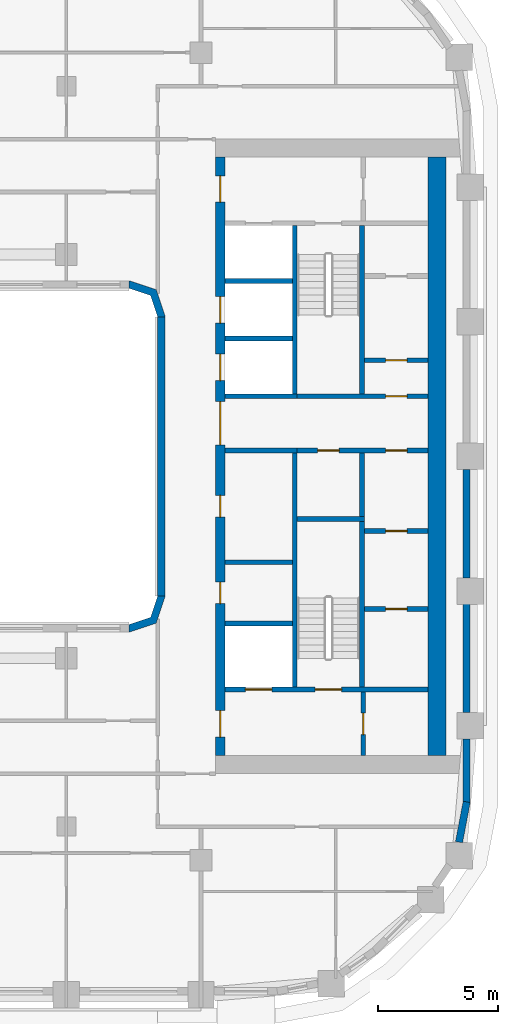
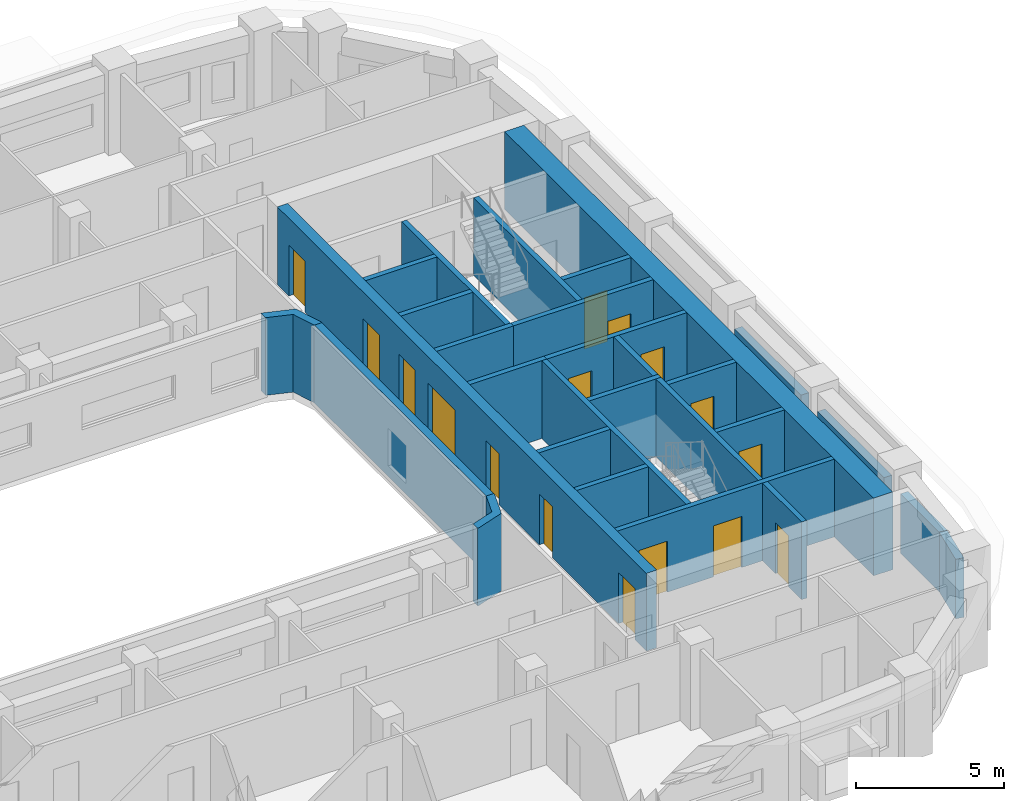
# One storey, part 6 of 22: 28 walls, 16 doors, 16 openings.
"""IFC4 building model written with IfcOpenShell, lengths in metres."""

from ifc_helpers import new_model, si_unit, direction, frame, frame_2d, origin, place, context, subcontext, project, spatial, polyline, rectangle, outline, extrude, material, layer, layer_set, type_object, element, fill, save


model = new_model("IFC4")

# Units and contexts
model_context = context("Model", 3, precision=1e-05, world=origin(), true_north=direction((0.0, 1.0)))
body_context = subcontext(model_context, "Body", "Model", "MODEL_VIEW")
ifc_project = project(units=[si_unit("LENGTHUNIT", "METRE"), si_unit("AREAUNIT", "SQUARE_METRE"), si_unit("VOLUMEUNIT", "CUBIC_METRE"), si_unit("PLANEANGLEUNIT", "RADIAN"), si_unit("MASSUNIT", "GRAM", prefix="KILO")], contexts=[model_context])

# Site, building, storey
site_placement = place(None, origin())
site = spatial("IfcSite", under=ifc_project, at=site_placement, CompositionType="ELEMENT")
building_placement = place(site_placement, origin())
building = spatial("IfcBuilding", under=site, at=building_placement, Name="Kiln Ring Residences", CompositionType="ELEMENT")
storey_placement = place(building_placement, frame((0.0, 0.0, 150.10009765625)))
storey = spatial("IfcBuildingStorey", under=building, at=storey_placement, Name="L38", CompositionType="ELEMENT", Elevation=150.10009765625)

# Wall
ifc_material_1 = material(Name="Gypsum board on steel studs", Category="steel")
ifc_layer_1 = layer(ifc_material_1, 0.199951171875)
ifc_layer_set_1 = layer_set([ifc_layer_1], Name="CORE-PARTITION-200")
wall_type_1 = type_object("IfcWallType", Name="CORE-PARTITION-200", PredefinedType="PARTITIONING", material=ifc_layer_set_1)
wall_1_placement = place(storey_placement, frame((23.5, -2.5, 0.0), z_axis=(0.0, 0.0, 1.0), x_axis=(0.0, 1.0, 0.0)))
element("IfcWall", 1, at=wall_1_placement, inside=storey, type_object=wall_type_1, Name="Core partition east L38 1", PredefinedType="PARTITIONING", context=body_context, shape_type="SweptSolid", body=[
    extrude(rectangle(XDim=2.64990234375, YDim=0.199951171875, at=frame_2d((1.324951171875, 0.0))), origin(), (0.0, 0.0, 1.0), 3.199951171875),
])

# Wall, openings, doors
wall_2_placement = place(storey_placement, frame((20.800048828125, 0.25, 0.0), z_axis=(0.0, 0.0, 1.0), x_axis=(1.0, 0.0, 0.0)))
wall_2 = element("IfcWall", 2, at=wall_2_placement, inside=storey, type_object=wall_type_1, Name="Core partition east L38 2", PredefinedType="PARTITIONING", context=body_context, shape_type="SweptSolid", body=[
    extrude(rectangle(XDim=5.449951171875, YDim=0.199951171875, at=frame_2d((2.72509765625, 0.0))), origin(), (0.0, 0.0, 1.0), 3.199951171875),
])
opening_1_placement = place(wall_2_placement, frame((0.85009765625, 0.0, 0.0)))
opening_1 = element("IfcOpeningElement", 3, at=opening_1_placement, cuts=wall_2, Name="Opening L38-CE14", PredefinedType="OPENING", context=body_context, shape_type="SweptSolid", body=[
    extrude(rectangle(XDim=0.89990234375, YDim=2.10009765625, at=frame_2d((0.449951171875, 1.050048828125))), frame((0.0, 0.10986328125, 0.0), z_axis=(0.0, -1.0, 0.0), x_axis=(1.0, 0.0, 0.0)), (0.0, 0.0, 1.0), 0.219970703125),
])
opening_2_placement = place(wall_2_placement, frame((3.675048828125, 0.0, 0.0)))
opening_2 = element("IfcOpeningElement", 4, at=opening_2_placement, cuts=wall_2, Name="Opening L38-CE17", PredefinedType="OPENING", context=body_context, shape_type="SweptSolid", body=[
    extrude(rectangle(XDim=0.89990234375, YDim=2.10009765625, at=frame_2d((0.449951171875, 1.050048828125))), frame((0.0, 0.10986328125, 0.0), z_axis=(0.0, -1.0, 0.0), x_axis=(1.0, 0.0, 0.0)), (0.0, 0.0, 1.0), 0.219970703125),
])
ifc_material_2 = material(Name="Steel door leaf", Category="steel")
door_type_1 = type_object("IfcDoorType", Name="CORE-DOOR-ROOM", OperationType="SINGLE_SWING_LEFT", PredefinedType="DOOR", material=ifc_material_2)
door_1_placement = place(opening_1_placement, origin())
door_1 = element("IfcDoor", 5, at=door_1_placement, inside=storey, type_object=door_type_1, Name="Electrical riser room L38-CE14", OperationType="SINGLE_SWING_LEFT", OverallHeight=2.10009765625, OverallWidth=0.89990234375, PredefinedType="DOOR", context=body_context, shape_type="SweptSolid", body=[
    extrude(rectangle(XDim=0.89990234375, YDim=2.10009765625, at=frame_2d((0.449951171875, 1.050048828125))), frame((0.0, 0.02490234375, 0.0), z_axis=(0.0, -1.0, 0.0), x_axis=(1.0, 0.0, 0.0)), (0.0, 0.0, 1.0), 0.050048828125),
])
fill(opening_1, door_1)
door_2_placement = place(opening_2_placement, origin())
door_2 = element("IfcDoor", 6, at=door_2_placement, inside=storey, type_object=door_type_1, Name="Plant room L38-CE17", OperationType="SINGLE_SWING_RIGHT", OverallHeight=2.10009765625, OverallWidth=0.89990234375, PredefinedType="DOOR", context=body_context, shape_type="SweptSolid", body=[
    extrude(rectangle(XDim=0.89990234375, YDim=2.10009765625, at=frame_2d((0.449951171875, 1.050048828125))), frame((0.0, 0.02490234375, 0.0), z_axis=(0.0, -1.0, 0.0), x_axis=(1.0, 0.0, 0.0)), (0.0, 0.0, 1.0), 0.050048828125),
])
fill(opening_2, door_2)

# Wall
wall_3_placement = place(storey_placement, frame((17.800048828125, -4.39990234375, 0.0), z_axis=(0.0, 0.0, 1.0), x_axis=(1.0, 0.0, 0.0)))
element("IfcWall", 7, at=wall_3_placement, inside=storey, type_object=wall_type_1, Name="Core partition east L38 3", PredefinedType="PARTITIONING", context=body_context, shape_type="SweptSolid", body=[
    extrude(rectangle(XDim=2.800048828125, YDim=0.199951171875, at=frame_2d((1.39990234375, 0.0))), origin(), (0.0, 0.0, 1.0), 3.199951171875),
])

# Wall, opening, door
wall_4_placement = place(storey_placement, frame((23.550048828125, -12.449951171875, 0.0), z_axis=(0.0, 0.0, 1.0), x_axis=(0.0, 1.0, 0.0)))
wall_4 = element("IfcWall", 8, at=wall_4_placement, inside=storey, type_object=wall_type_1, Name="Core partition east L38 5", PredefinedType="PARTITIONING", context=body_context, shape_type="SweptSolid", body=[
    extrude(rectangle(XDim=2.64990234375, YDim=0.199951171875, at=frame_2d((1.324951171875, 0.0))), origin(), (0.0, 0.0, 1.0), 3.199951171875),
])
opening_3_placement = place(wall_4_placement, frame((0.875, 0.0, 0.0)))
opening_3 = element("IfcOpeningElement", 9, at=opening_3_placement, cuts=wall_4, Name="Opening L38-CE10", PredefinedType="OPENING", context=body_context, shape_type="SweptSolid", body=[
    extrude(rectangle(XDim=0.89990234375, YDim=2.10009765625, at=frame_2d((0.449951171875, 1.050048828125))), frame((0.0, 0.10986328125, 0.0), z_axis=(0.0, -1.0, 0.0), x_axis=(1.0, 0.0, 0.0)), (0.0, 0.0, 1.0), 0.219970703125),
])
door_3_placement = place(opening_3_placement, origin())
door_3 = element("IfcDoor", 10, at=door_3_placement, inside=storey, type_object=door_type_1, Name="Store L38-CE10", OperationType="SINGLE_SWING_LEFT", OverallHeight=2.10009765625, OverallWidth=0.89990234375, PredefinedType="DOOR", context=body_context, shape_type="SweptSolid", body=[
    extrude(rectangle(XDim=0.89990234375, YDim=2.10009765625, at=frame_2d((0.449951171875, 1.050048828125))), frame((0.0, 0.02490234375, 0.0), z_axis=(0.0, -1.0, 0.0), x_axis=(1.0, 0.0, 0.0)), (0.0, 0.0, 1.0), 0.050048828125),
])
fill(opening_3, door_3)

wall_5_placement = place(storey_placement, frame((23.60009765625, -6.35009765625, 0.0), z_axis=(0.0, 0.0, 1.0), x_axis=(1.0, 0.0, 0.0)))
wall_5 = element("IfcWall", 11, at=wall_5_placement, inside=storey, type_object=wall_type_1, Name="Core partition east L38 6", PredefinedType="PARTITIONING", context=body_context, shape_type="SweptSolid", body=[
    extrude(rectangle(XDim=2.64990234375, YDim=0.199951171875, at=frame_2d((1.324951171875, 0.0))), origin(), (0.0, 0.0, 1.0), 3.199951171875),
])
opening_4_placement = place(wall_5_placement, frame((0.875, 0.0, 0.0)))
opening_4 = element("IfcOpeningElement", 12, at=opening_4_placement, cuts=wall_5, Name="Opening L38-CE15", PredefinedType="OPENING", context=body_context, shape_type="SweptSolid", body=[
    extrude(rectangle(XDim=0.89990234375, YDim=2.10009765625, at=frame_2d((0.449951171875, 1.050048828125))), frame((0.0, 0.10986328125, 0.0), z_axis=(0.0, -1.0, 0.0), x_axis=(1.0, 0.0, 0.0)), (0.0, 0.0, 1.0), 0.219970703125),
])
door_4_placement = place(opening_4_placement, origin())
door_4 = element("IfcDoor", 13, at=door_4_placement, inside=storey, type_object=door_type_1, Name="Meter room L38-CE15", OperationType="SINGLE_SWING_LEFT", OverallHeight=2.10009765625, OverallWidth=0.89990234375, PredefinedType="DOOR", context=body_context, shape_type="SweptSolid", body=[
    extrude(rectangle(XDim=0.89990234375, YDim=2.10009765625, at=frame_2d((0.449951171875, 1.050048828125))), frame((0.0, 0.02490234375, 0.0), z_axis=(0.0, -1.0, 0.0), x_axis=(1.0, 0.0, 0.0)), (0.0, 0.0, 1.0), 0.050048828125),
])
fill(opening_4, door_4)

wall_6_placement = place(storey_placement, frame((23.60009765625, -3.10009765625, 0.0), z_axis=(0.0, 0.0, 1.0), x_axis=(1.0, 0.0, 0.0)))
wall_6 = element("IfcWall", 14, at=wall_6_placement, inside=storey, type_object=wall_type_1, Name="Core partition east L38 7", PredefinedType="PARTITIONING", context=body_context, shape_type="SweptSolid", body=[
    extrude(rectangle(XDim=2.64990234375, YDim=0.199951171875, at=frame_2d((1.324951171875, 0.0))), origin(), (0.0, 0.0, 1.0), 3.199951171875),
])
opening_5_placement = place(wall_6_placement, frame((0.875, 0.0, 0.0)))
opening_5 = element("IfcOpeningElement", 15, at=opening_5_placement, cuts=wall_6, Name="Opening L38-CE16", PredefinedType="OPENING", context=body_context, shape_type="SweptSolid", body=[
    extrude(rectangle(XDim=0.89990234375, YDim=2.10009765625, at=frame_2d((0.449951171875, 1.050048828125))), frame((0.0, 0.10986328125, 0.0), z_axis=(0.0, -1.0, 0.0), x_axis=(1.0, 0.0, 0.0)), (0.0, 0.0, 1.0), 0.219970703125),
])
door_5_placement = place(opening_5_placement, origin())
door_5 = element("IfcDoor", 16, at=door_5_placement, inside=storey, type_object=door_type_1, Name="Plant room L38-CE16", OperationType="SINGLE_SWING_RIGHT", OverallHeight=2.10009765625, OverallWidth=0.89990234375, PredefinedType="DOOR", context=body_context, shape_type="SweptSolid", body=[
    extrude(rectangle(XDim=0.89990234375, YDim=2.10009765625, at=frame_2d((0.449951171875, 1.050048828125))), frame((0.0, 0.02490234375, 0.0), z_axis=(0.0, -1.0, 0.0), x_axis=(1.0, 0.0, 0.0)), (0.0, 0.0, 1.0), 0.050048828125),
])
fill(opening_5, door_5)

wall_7_placement = place(storey_placement, frame((23.60009765625, 4.0, 0.0), z_axis=(0.0, 0.0, 1.0), x_axis=(1.0, 0.0, 0.0)))
wall_7 = element("IfcWall", 17, at=wall_7_placement, inside=storey, type_object=wall_type_1, Name="Core partition east L38 8", PredefinedType="PARTITIONING", context=body_context, shape_type="SweptSolid", body=[
    extrude(rectangle(XDim=2.64990234375, YDim=0.199951171875, at=frame_2d((1.324951171875, 0.0))), origin(), (0.0, 0.0, 1.0), 3.199951171875),
])
opening_6_placement = place(wall_7_placement, frame((0.875, 0.0, 0.0)))
opening_6 = element("IfcOpeningElement", 18, at=opening_6_placement, cuts=wall_7, Name="Opening L38-CE18", PredefinedType="OPENING", context=body_context, shape_type="SweptSolid", body=[
    extrude(rectangle(XDim=0.89990234375, YDim=2.10009765625, at=frame_2d((0.449951171875, 1.050048828125))), frame((0.0, 0.10986328125, 0.0), z_axis=(0.0, -1.0, 0.0), x_axis=(1.0, 0.0, 0.0)), (0.0, 0.0, 1.0), 0.219970703125),
])
door_6_placement = place(opening_6_placement, origin())
door_6 = element("IfcDoor", 19, at=door_6_placement, inside=storey, type_object=door_type_1, Name="Electrical plant room L38-CE18", OperationType="SINGLE_SWING_RIGHT", OverallHeight=2.10009765625, OverallWidth=0.89990234375, PredefinedType="DOOR", context=body_context, shape_type="SweptSolid", body=[
    extrude(rectangle(XDim=0.89990234375, YDim=2.10009765625, at=frame_2d((0.449951171875, 1.050048828125))), frame((0.0, 0.02490234375, 0.0), z_axis=(0.0, -1.0, 0.0), x_axis=(1.0, 0.0, 0.0)), (0.0, 0.0, 1.0), 0.050048828125),
])
fill(opening_6, door_6)

# Walls
ifc_material_3 = material(Name="Gypsum shaft wall system")
ifc_layer_2 = layer(ifc_material_3, 0.199951171875)
ifc_layer_set_2 = layer_set([ifc_layer_2], Name="CORE-SHAFT-WALL-200")
wall_type_2 = type_object("IfcWallType", Name="CORE-SHAFT-WALL-200", PredefinedType="PARTITIONING", material=ifc_layer_set_2)
wall_8_placement = place(storey_placement, frame((17.800048828125, -6.949951171875, 0.0), z_axis=(0.0, 0.0, 1.0), x_axis=(1.0, 0.0, 0.0)))
element("IfcWall", 20, at=wall_8_placement, inside=storey, type_object=wall_type_2, Name="Core partition east L38 10", PredefinedType="PARTITIONING", context=body_context, shape_type="SweptSolid", body=[
    extrude(rectangle(XDim=2.800048828125, YDim=0.199951171875, at=frame_2d((1.39990234375, 0.0))), origin(), (0.0, 0.0, 1.0), 3.199951171875),
])
for number, where, z_axis, x_axis, name in (
    (21, (17.800048828125, 0.25, 0.0), (0.0, 0.0, 1.0), (1.0, 0.0, 0.0), "Core partition east L38 11"),
    (22, (17.800048828125, 2.5, 0.0), (0.0, 0.0, 1.0), (1.0, 0.0, 0.0), "Core partition east L38 12"),
):
    element("IfcWall", number, at=place(storey_placement, frame(where, z_axis=z_axis, x_axis=x_axis)), inside=storey, type_object=wall_type_2, Name=name, PredefinedType="PARTITIONING", context=body_context, shape_type="SweptSolid", body=[
        extrude(rectangle(XDim=3.0, YDim=0.199951171875, at=frame_2d((1.5, 0.0))), origin(), (0.0, 0.0, 1.0), 3.199951171875),
    ])
for number, where, z_axis, x_axis, name in (
    (23, (17.800048828125, 4.89990234375, 0.0), (0.0, 0.0, 1.0), (1.0, 0.0, 0.0), "Core partition east L38 13"),
    (24, (17.800048828125, 7.300048828125, 0.0), (0.0, 0.0, 1.0), (1.0, 0.0, 0.0), "Core partition east L38 14"),
):
    element("IfcWall", number, at=place(storey_placement, frame(where, z_axis=z_axis, x_axis=x_axis)), inside=storey, type_object=wall_type_2, Name=name, PredefinedType="PARTITIONING", context=body_context, shape_type="SweptSolid", body=[
        extrude(rectangle(XDim=2.800048828125, YDim=0.199951171875, at=frame_2d((1.39990234375, 0.0))), origin(), (0.0, 0.0, 1.0), 3.199951171875),
    ])
ifc_material_4 = material(Name="Concrete C40/50", Category="concrete")
ifc_layer_3 = layer(ifc_material_4, 0.199951171875)
ifc_layer_set_3 = layer_set([ifc_layer_3], Name="CORE-WALL-RC200")
wall_type_3 = type_object("IfcWallType", Name="CORE-WALL-RC200", PredefinedType="SHEAR", material=ifc_layer_set_3)
wall_9_placement = place(storey_placement, frame((20.699951171875, 2.60009765625, 0.0), z_axis=(0.0, 0.0, 1.0), x_axis=(0.0, 1.0, 0.0)))
element("IfcWall", 25, at=wall_9_placement, inside=storey, type_object=wall_type_3, Name="Core wall east L38 1", PredefinedType="SHEAR", context=body_context, shape_type="SweptSolid", body=[
    extrude(rectangle(XDim=7.0, YDim=0.199951171875, at=frame_2d((3.5, 0.0))), origin(), (0.0, 0.0, 1.0), 3.199951171875),
])
wall_10_placement = place(storey_placement, frame((20.699951171875, -9.60009765625, 0.0), z_axis=(0.0, 0.0, 1.0), x_axis=(0.0, 1.0, 0.0)))
element("IfcWall", 26, at=wall_10_placement, inside=storey, type_object=wall_type_3, Name="Core wall east L38 2", PredefinedType="SHEAR", context=body_context, shape_type="SweptSolid", body=[
    extrude(rectangle(XDim=9.75, YDim=0.199951171875, at=frame_2d((4.875, 0.0))), origin(), (0.0, 0.0, 1.0), 3.199951171875),
])

# Wall, opening, door
wall_11_placement = place(storey_placement, frame((20.800048828125, 2.5, 0.0), z_axis=(0.0, 0.0, 1.0), x_axis=(1.0, 0.0, 0.0)))
wall_11 = element("IfcWall", 27, at=wall_11_placement, inside=storey, type_object=wall_type_3, Name="Core wall east L38 3", PredefinedType="SHEAR", context=body_context, shape_type="SweptSolid", body=[
    extrude(rectangle(XDim=5.449951171875, YDim=0.199951171875, at=frame_2d((2.72509765625, 0.0))), origin(), (0.0, 0.0, 1.0), 3.199951171875),
])
opening_7_placement = place(wall_11_placement, frame((3.675048828125, 0.0, 0.0)))
opening_7 = element("IfcOpeningElement", 28, at=opening_7_placement, cuts=wall_11, Name="Opening L38-CE20", PredefinedType="OPENING", context=body_context, shape_type="SweptSolid", body=[
    extrude(rectangle(XDim=0.89990234375, YDim=2.10009765625, at=frame_2d((0.449951171875, 1.050048828125))), frame((0.0, 0.10986328125, 0.0), z_axis=(0.0, -1.0, 0.0), x_axis=(1.0, 0.0, 0.0)), (0.0, 0.0, 1.0), 0.219970703125),
])
door_7_placement = place(opening_7_placement, origin())
door_7 = element("IfcDoor", 29, at=door_7_placement, inside=storey, type_object=door_type_1, Name="Comms room L38-CE20", OperationType="SINGLE_SWING_RIGHT", OverallHeight=2.10009765625, OverallWidth=0.89990234375, PredefinedType="DOOR", context=body_context, shape_type="SweptSolid", body=[
    extrude(rectangle(XDim=0.89990234375, YDim=2.10009765625, at=frame_2d((0.449951171875, 1.050048828125))), frame((0.0, 0.02490234375, 0.0), z_axis=(0.0, -1.0, 0.0), x_axis=(1.0, 0.0, 0.0)), (0.0, 0.0, 1.0), 0.050048828125),
])
fill(opening_7, door_7)

# Wall, openings, doors
wall_12_placement = place(storey_placement, frame((17.800048828125, -9.699951171875, 0.0), z_axis=(0.0, 0.0, 1.0), x_axis=(1.0, 0.0, 0.0)))
wall_12 = element("IfcWall", 30, at=wall_12_placement, inside=storey, type_object=wall_type_3, Name="Core wall east L38 8", PredefinedType="SHEAR", context=body_context, shape_type="SweptSolid", body=[
    extrude(rectangle(XDim=8.449951171875, YDim=0.199951171875, at=frame_2d((4.22509765625, 0.0))), origin(), (0.0, 0.0, 1.0), 3.199951171875),
])
opening_8_placement = place(wall_12_placement, frame((0.85009765625, 0.0, 0.0)))
opening_8 = element("IfcOpeningElement", 31, at=opening_8_placement, cuts=wall_12, Name="Opening L38-CE01", PredefinedType="OPENING", context=body_context, shape_type="SweptSolid", body=[
    extrude(rectangle(XDim=1.10009765625, YDim=2.10009765625, at=frame_2d((0.550048828125, 1.050048828125))), frame((0.0, 0.10986328125, 0.0), z_axis=(0.0, -1.0, 0.0), x_axis=(1.0, 0.0, 0.0)), (0.0, 0.0, 1.0), 0.219970703125),
])
opening_9_placement = place(wall_12_placement, frame((3.75, 0.0, 0.0)))
opening_9 = element("IfcOpeningElement", 32, at=opening_9_placement, cuts=wall_12, Name="Opening L38-CE12", PredefinedType="OPENING", context=body_context, shape_type="SweptSolid", body=[
    extrude(rectangle(XDim=1.10009765625, YDim=2.10009765625, at=frame_2d((0.550048828125, 1.050048828125))), frame((0.0, 0.10986328125, 0.0), z_axis=(0.0, -1.0, 0.0), x_axis=(1.0, 0.0, 0.0)), (0.0, 0.0, 1.0), 0.219970703125),
])
ifc_material_5 = material(Name="Steel door leaf", Category="steel")
door_type_2 = type_object("IfcDoorType", Name="CORE-DOOR-LD", OperationType="DOUBLE_DOOR_SLIDING", PredefinedType="DOOR", material=ifc_material_5)
door_8_placement = place(opening_8_placement, origin())
door_8 = element("IfcDoor", 33, at=door_8_placement, inside=storey, type_object=door_type_2, Name="LD E-SV L38-CE01", OperationType="DOUBLE_DOOR_SLIDING", OverallHeight=2.10009765625, OverallWidth=1.10009765625, PredefinedType="DOOR", context=body_context, shape_type="SweptSolid", body=[
    extrude(rectangle(XDim=1.10009765625, YDim=2.10009765625, at=frame_2d((0.550048828125, 1.050048828125))), frame((0.0, 0.02490234375, 0.0), z_axis=(0.0, -1.0, 0.0), x_axis=(1.0, 0.0, 0.0)), (0.0, 0.0, 1.0), 0.050048828125),
])
fill(opening_8, door_8)
ifc_material_6 = material(Name="Steel door leaf", Category="steel")
door_type_3 = type_object("IfcDoorType", Name="CORE-DOOR-STAIR", OperationType="SINGLE_SWING_LEFT", PredefinedType="DOOR", material=ifc_material_6)
door_9_placement = place(opening_9_placement, origin())
door_9 = element("IfcDoor", 34, at=door_9_placement, inside=storey, type_object=door_type_3, Name="Stair E-STS L38-CE12", OperationType="SINGLE_SWING_RIGHT", OverallHeight=2.10009765625, OverallWidth=1.10009765625, PredefinedType="DOOR", context=body_context, shape_type="SweptSolid", body=[
    extrude(rectangle(XDim=1.10009765625, YDim=2.10009765625, at=frame_2d((0.550048828125, 1.050048828125))), frame((0.0, 0.02490234375, 0.0), z_axis=(0.0, -1.0, 0.0), x_axis=(1.0, 0.0, 0.0)), (0.0, 0.0, 1.0), 0.050048828125),
])
fill(opening_9, door_9)

# Walls
wall_13_placement = place(storey_placement, frame((23.5, 2.60009765625, 0.0), z_axis=(0.0, 0.0, 1.0), x_axis=(0.0, 1.0, 0.0)))
element("IfcWall", 35, at=wall_13_placement, inside=storey, type_object=wall_type_3, Name="Core wall east L38 10", PredefinedType="SHEAR", context=body_context, shape_type="SweptSolid", body=[
    extrude(rectangle(XDim=7.0, YDim=0.199951171875, at=frame_2d((3.5, 0.0))), origin(), (0.0, 0.0, 1.0), 3.199951171875),
])
wall_14_placement = place(storey_placement, frame((23.5, -9.60009765625, 0.0), z_axis=(0.0, 0.0, 1.0), x_axis=(0.0, 1.0, 0.0)))
element("IfcWall", 36, at=wall_14_placement, inside=storey, type_object=wall_type_3, Name="Core wall east L38 11", PredefinedType="SHEAR", context=body_context, shape_type="SweptSolid", body=[
    extrude(rectangle(XDim=6.900146484375, YDim=0.199951171875, at=frame_2d((3.4501953125, 0.0))), origin(), (0.0, 0.0, 1.0), 3.199951171875),
])
wall_15_placement = place(storey_placement, frame((20.800048828125, -2.60009765625, 0.0), z_axis=(0.0, 0.0, 1.0), x_axis=(1.0, 0.0, 0.0)))
element("IfcWall", 37, at=wall_15_placement, inside=storey, type_object=wall_type_3, Name="Core wall east L38 12", PredefinedType="SHEAR", context=body_context, shape_type="SweptSolid", body=[
    extrude(rectangle(XDim=2.800048828125, YDim=0.199951171875, at=frame_2d((1.39990234375, 0.0))), origin(), (0.0, 0.0, 1.0), 3.199951171875),
])

# Wall, openings, doors
ifc_material_7 = material(Name="Concrete C60/75", Category="concrete")
ifc_layer_4 = layer(ifc_material_7, 0.39990234375)
ifc_layer_set_4 = layer_set([ifc_layer_4], Name="CORE-WALL-RC400")
wall_type_4 = type_object("IfcWallType", Name="CORE-WALL-RC400", PredefinedType="SHEAR", material=ifc_layer_set_4)
wall_16_placement = place(storey_placement, frame((17.60009765625, -12.449951171875, 0.0), z_axis=(0.0, 0.0, 1.0), x_axis=(0.0, 1.0, 0.0)))
wall_16 = element("IfcWall", 38, at=wall_16_placement, inside=storey, type_object=wall_type_4, Name="Core wall east L38 6", PredefinedType="SHEAR", context=body_context, shape_type="SweptSolid", body=[
    extrude(rectangle(XDim=24.89990234375, YDim=0.39990234375, at=frame_2d((12.449951171875, 0.0))), origin(), (0.0, 0.0, 1.0), 3.199951171875),
])
opening_10_placement = place(wall_16_placement, frame((6.324951171875, 0.0, 0.0)))
opening_10 = element("IfcOpeningElement", 39, at=opening_10_placement, cuts=wall_16, Name="Opening L38-CE02", PredefinedType="OPENING", context=body_context, shape_type="SweptSolid", body=[
    extrude(rectangle(XDim=0.89990234375, YDim=2.10009765625, at=frame_2d((0.449951171875, 1.050048828125))), frame((0.0, 0.2099609375, 0.0), z_axis=(0.0, -1.0, 0.0), x_axis=(1.0, 0.0, 0.0)), (0.0, 0.0, 1.0), 0.419921875),
])
opening_11_placement = place(wall_16_placement, frame((9.925048828125, 0.0, 0.0)))
opening_11 = element("IfcOpeningElement", 40, at=opening_11_placement, cuts=wall_16, Name="Opening L38-CE03", PredefinedType="OPENING", context=body_context, shape_type="SweptSolid", body=[
    extrude(rectangle(XDim=0.89990234375, YDim=2.10009765625, at=frame_2d((0.449951171875, 1.050048828125))), frame((0.0, 0.2099609375, 0.0), z_axis=(0.0, -1.0, 0.0), x_axis=(1.0, 0.0, 0.0)), (0.0, 0.0, 1.0), 0.419921875),
])
opening_12_placement = place(wall_16_placement, frame((15.60009765625, 0.0, 0.0)))
opening_12 = element("IfcOpeningElement", 41, at=opening_12_placement, cuts=wall_16, Name="Opening L38-CE04", PredefinedType="OPENING", context=body_context, shape_type="SweptSolid", body=[
    extrude(rectangle(XDim=1.10009765625, YDim=2.10009765625, at=frame_2d((0.550048828125, 1.050048828125))), frame((0.0, 0.2099609375, 0.0), z_axis=(0.0, -1.0, 0.0), x_axis=(1.0, 0.0, 0.0)), (0.0, 0.0, 1.0), 0.419921875),
])
opening_13_placement = place(wall_16_placement, frame((18.0, 0.0, 0.0)))
opening_13 = element("IfcOpeningElement", 42, at=opening_13_placement, cuts=wall_16, Name="Opening L38-CE05", PredefinedType="OPENING", context=body_context, shape_type="SweptSolid", body=[
    extrude(rectangle(XDim=1.10009765625, YDim=2.10009765625, at=frame_2d((0.550048828125, 1.050048828125))), frame((0.0, 0.2099609375, 0.0), z_axis=(0.0, -1.0, 0.0), x_axis=(1.0, 0.0, 0.0)), (0.0, 0.0, 1.0), 0.419921875),
])
opening_14_placement = place(wall_16_placement, frame((23.02490234375, 0.0, 0.0)))
opening_14 = element("IfcOpeningElement", 43, at=opening_14_placement, cuts=wall_16, Name="Opening L38-CE07", PredefinedType="OPENING", context=body_context, shape_type="SweptSolid", body=[
    extrude(rectangle(XDim=1.10009765625, YDim=2.10009765625, at=frame_2d((0.550048828125, 1.050048828125))), frame((0.0, 0.2099609375, 0.0), z_axis=(0.0, -1.0, 0.0), x_axis=(1.0, 0.0, 0.0)), (0.0, 0.0, 1.0), 0.419921875),
])
opening_15_placement = place(wall_16_placement, frame((0.77490234375, 0.0, 0.0)))
opening_15 = element("IfcOpeningElement", 44, at=opening_15_placement, cuts=wall_16, Name="Opening L38-CE08", PredefinedType="OPENING", context=body_context, shape_type="SweptSolid", body=[
    extrude(rectangle(XDim=1.10009765625, YDim=2.10009765625, at=frame_2d((0.550048828125, 1.050048828125))), frame((0.0, 0.2099609375, 0.0), z_axis=(0.0, -1.0, 0.0), x_axis=(1.0, 0.0, 0.0)), (0.0, 0.0, 1.0), 0.419921875),
])
opening_16_placement = place(wall_16_placement, frame((12.925048828125, 0.0, 0.0)))
opening_16 = element("IfcOpeningElement", 45, at=opening_16_placement, cuts=wall_16, Name="Opening L38-CE13", PredefinedType="OPENING", context=body_context, shape_type="SweptSolid", body=[
    extrude(rectangle(XDim=1.800048828125, YDim=2.10009765625, at=frame_2d((0.89990234375, 1.050048828125))), frame((0.0, 0.2099609375, 0.0), z_axis=(0.0, -1.0, 0.0), x_axis=(1.0, 0.0, 0.0)), (0.0, 0.0, 1.0), 0.419921875),
])
door_10_placement = place(opening_12_placement, origin())
door_10 = element("IfcDoor", 46, at=door_10_placement, inside=storey, type_object=door_type_2, Name="LD E-M1 L38-CE04", OperationType="DOUBLE_DOOR_SLIDING", OverallHeight=2.10009765625, OverallWidth=1.10009765625, PredefinedType="DOOR", context=body_context, shape_type="SweptSolid", body=[
    extrude(rectangle(XDim=1.10009765625, YDim=2.10009765625, at=frame_2d((0.550048828125, 1.050048828125))), frame((0.0, 0.02490234375, 0.0), z_axis=(0.0, -1.0, 0.0), x_axis=(1.0, 0.0, 0.0)), (0.0, 0.0, 1.0), 0.050048828125),
])
fill(opening_12, door_10)
door_11_placement = place(opening_13_placement, origin())
door_11 = element("IfcDoor", 47, at=door_11_placement, inside=storey, type_object=door_type_2, Name="LD E-M2 L38-CE05", OperationType="DOUBLE_DOOR_SLIDING", OverallHeight=2.10009765625, OverallWidth=1.10009765625, PredefinedType="DOOR", context=body_context, shape_type="SweptSolid", body=[
    extrude(rectangle(XDim=1.10009765625, YDim=2.10009765625, at=frame_2d((0.550048828125, 1.050048828125))), frame((0.0, 0.02490234375, 0.0), z_axis=(0.0, -1.0, 0.0), x_axis=(1.0, 0.0, 0.0)), (0.0, 0.0, 1.0), 0.050048828125),
])
fill(opening_13, door_11)
ifc_material_8 = material(Name="Steel door leaf", Category="steel")
door_type_4 = type_object("IfcDoorType", Name="CORE-DOOR-LOBBY", OperationType="SINGLE_SWING_LEFT", PredefinedType="DOOR", material=ifc_material_8)
door_12_placement = place(opening_14_placement, origin())
door_12 = element("IfcDoor", 48, at=door_12_placement, inside=storey, type_object=door_type_4, Name="FFL L38-CE07", OperationType="SINGLE_SWING_LEFT", OverallHeight=2.10009765625, OverallWidth=1.10009765625, PredefinedType="DOOR", context=body_context, shape_type="SweptSolid", body=[
    extrude(rectangle(XDim=1.10009765625, YDim=2.10009765625, at=frame_2d((0.550048828125, 1.050048828125))), frame((0.0, 0.02490234375, 0.0), z_axis=(0.0, -1.0, 0.0), x_axis=(1.0, 0.0, 0.0)), (0.0, 0.0, 1.0), 0.050048828125),
])
fill(opening_14, door_12)
door_13_placement = place(opening_15_placement, origin())
door_13 = element("IfcDoor", 49, at=door_13_placement, inside=storey, type_object=door_type_4, Name="SVL L38-CE08", OperationType="SINGLE_SWING_RIGHT", OverallHeight=2.10009765625, OverallWidth=1.10009765625, PredefinedType="DOOR", context=body_context, shape_type="SweptSolid", body=[
    extrude(rectangle(XDim=1.10009765625, YDim=2.10009765625, at=frame_2d((0.550048828125, 1.050048828125))), frame((0.0, 0.02490234375, 0.0), z_axis=(0.0, -1.0, 0.0), x_axis=(1.0, 0.0, 0.0)), (0.0, 0.0, 1.0), 0.050048828125),
])
fill(opening_15, door_13)
ifc_material_9 = material(Name="Steel door leaf", Category="steel")
door_type_5 = type_object("IfcDoorType", Name="CORE-DOOR-PASS", OperationType="DOUBLE_DOOR_SINGLE_SWING", PredefinedType="DOOR", material=ifc_material_9)
door_14_placement = place(opening_16_placement, origin())
door_14 = element("IfcDoor", 50, at=door_14_placement, inside=storey, type_object=door_type_5, Name="Core passage L38-CE13", OperationType="DOUBLE_DOOR_SINGLE_SWING", OverallHeight=2.10009765625, OverallWidth=1.800048828125, PredefinedType="DOOR", context=body_context, shape_type="SweptSolid", body=[
    extrude(rectangle(XDim=1.800048828125, YDim=2.10009765625, at=frame_2d((0.89990234375, 1.050048828125))), frame((0.0, 0.02490234375, 0.0), z_axis=(0.0, -1.0, 0.0), x_axis=(1.0, 0.0, 0.0)), (0.0, 0.0, 1.0), 0.050048828125),
])
fill(opening_16, door_14)
door_15_placement = place(opening_10_placement, origin())
door_15 = element("IfcDoor", 51, at=door_15_placement, inside=storey, type_object=door_type_1, Name="Goods store L38-CE02", OperationType="SINGLE_SWING_LEFT", OverallHeight=2.10009765625, OverallWidth=0.89990234375, PredefinedType="DOOR", context=body_context, shape_type="SweptSolid", body=[
    extrude(rectangle(XDim=0.89990234375, YDim=2.10009765625, at=frame_2d((0.449951171875, 1.050048828125))), frame((0.0, 0.02490234375, 0.0), z_axis=(0.0, -1.0, 0.0), x_axis=(1.0, 0.0, 0.0)), (0.0, 0.0, 1.0), 0.050048828125),
])
fill(opening_10, door_15)
door_16_placement = place(opening_11_placement, origin())
door_16 = element("IfcDoor", 52, at=door_16_placement, inside=storey, type_object=door_type_1, Name="Storage room L38-CE03", OperationType="SINGLE_SWING_RIGHT", OverallHeight=2.10009765625, OverallWidth=0.89990234375, PredefinedType="DOOR", context=body_context, shape_type="SweptSolid", body=[
    extrude(rectangle(XDim=0.89990234375, YDim=2.10009765625, at=frame_2d((0.449951171875, 1.050048828125))), frame((0.0, 0.02490234375, 0.0), z_axis=(0.0, -1.0, 0.0), x_axis=(1.0, 0.0, 0.0)), (0.0, 0.0, 1.0), 0.050048828125),
])
fill(opening_11, door_16)

# Walls
ifc_material_10 = material(Name="Concrete C60/75", Category="concrete")
ifc_layer_5 = layer(ifc_material_10, 0.75)
ifc_layer_set_5 = layer_set([ifc_layer_5], Name="CORE-WALL-RC750")
wall_type_5 = type_object("IfcWallType", Name="CORE-WALL-RC750", PredefinedType="SHEAR", material=ifc_layer_set_5)
wall_17_placement = place(storey_placement, frame((26.625, -12.449951171875, 0.0), z_axis=(0.0, 0.0, 1.0), x_axis=(0.0, 1.0, 0.0)))
element("IfcWall", 53, at=wall_17_placement, inside=storey, type_object=wall_type_5, Name="Core wall east L38 7", PredefinedType="SHEAR", context=body_context, shape_type="SweptSolid", body=[
    extrude(rectangle(XDim=24.89990234375, YDim=0.75, at=frame_2d((12.449951171875, 0.0))), origin(), (0.0, 0.0, 1.0), 3.199951171875),
])
ifc_material_11 = material(Name="Brick masonry, dark clay brick", Category="masonry")
ifc_layer_6 = layer(ifc_material_11, 0.300048828125)
ifc_layer_set_6 = layer_set([ifc_layer_6], Name="EW-300 BRICK WALL")
wall_type_6 = type_object("IfcWallType", Name="EW-300 BRICK WALL", PredefinedType="SOLIDWALL", material=ifc_layer_set_6)
wall_18_placement = place(storey_placement, frame((27.532958984375, -16.0478515625, 0.0), z_axis=(0.0, 0.0, 1.0), x_axis=(0.187302784601, 0.982302227871, 0.0)))
element("IfcWall", 54, at=wall_18_placement, inside=storey, type_object=wall_type_6, Name="Facade wall L38 16", PredefinedType="SOLIDWALL", context=body_context, shape_type="SweptSolid", body=[
    extrude(rectangle(XDim=1.706298828125, YDim=0.300048828125, at=frame_2d((0.85302734375, 0.0))), origin(), (0.0, 0.0, 1.0), 2.449951171875),
])
wall_19_placement = place(storey_placement, frame((27.85009765625, -14.39990234375, 0.0), z_axis=(0.0, 0.0, 1.0), x_axis=(0.0, 1.0, 0.0)))
element("IfcWall", 55, at=wall_19_placement, inside=storey, type_object=wall_type_6, Name="Facade wall L38 17", PredefinedType="SOLIDWALL", context=body_context, shape_type="SweptSolid", body=[
    extrude(rectangle(XDim=2.64990234375, YDim=0.300048828125, at=frame_2d((1.324951171875, 0.0))), origin(), (0.0, 0.0, 1.0), 2.449951171875),
])
for number, where, z_axis, x_axis, name in (
    (56, (27.85009765625, -10.64990234375, 0.0), (0.0, 0.0, 1.0), (0.0, 1.0, 0.0), "Facade wall L38 18"),
    (57, (27.85009765625, -5.050048828125, 0.0), (0.0, 0.0, 1.0), (0.0, 1.0, 0.0), "Facade wall L38 19"),
):
    element("IfcWall", number, at=place(storey_placement, frame(where, z_axis=z_axis, x_axis=x_axis)), inside=storey, type_object=wall_type_6, Name=name, PredefinedType="SOLIDWALL", context=body_context, shape_type="SweptSolid", body=[
        extrude(rectangle(XDim=4.5, YDim=0.300048828125, at=frame_2d((2.25, 0.0))), origin(), (0.0, 0.0, 1.0), 2.449951171875),
    ])
wall_20_placement = place(storey_placement, frame((15.14990234375, 5.800048828125, 0.0), z_axis=(0.0, 0.0, 1.0), x_axis=(0.0, -1.0, 0.0)))
element("IfcWall", 58, at=wall_20_placement, inside=storey, type_object=wall_type_6, Name="Facade wall L38 51", PredefinedType="SOLIDWALL", context=body_context, shape_type="SweptSolid", body=[
    extrude(rectangle(XDim=11.60009765625, YDim=0.300048828125, at=frame_2d((5.800048828125, 0.0))), origin(), (0.0, 0.0, 1.0), 3.199951171875),
])
placement = place(storey_placement, origin())
element("IfcWall", 59, at=placement, inside=storey, type_object=wall_type_6, Name="Corner wall L38 2", PredefinedType="SOLIDWALL", context=body_context, shape_type="SweptSolid", body=[
    extrude(outline(polyline([(14.937255859375, 6.937255859375), (13.8486328125, 7.300048828125), (13.800048828125, 7.300048828125), (13.800048828125, 7.0), (14.699951171875, 6.699951171875), (15.0, 5.800048828125), (15.300048828125, 5.800048828125), (15.300048828125, 5.8486328125), (14.937255859375, 6.937255859375)])), origin(), (0.0, 0.0, 1.0), 3.199951171875),
])
element("IfcWall", 60, at=placement, inside=storey, type_object=wall_type_6, Name="Corner wall L38 3", PredefinedType="SOLIDWALL", context=body_context, shape_type="SweptSolid", body=[
    extrude(outline(polyline([(14.937255859375, -6.937255859375), (15.300048828125, -5.8486328125), (15.300048828125, -5.800048828125), (15.0, -5.800048828125), (14.699951171875, -6.699951171875), (13.800048828125, -7.0), (13.800048828125, -7.300048828125), (13.8486328125, -7.300048828125), (14.937255859375, -6.937255859375)])), origin(), (0.0, 0.0, 1.0), 3.199951171875),
])

save(model, "model.ifc")
